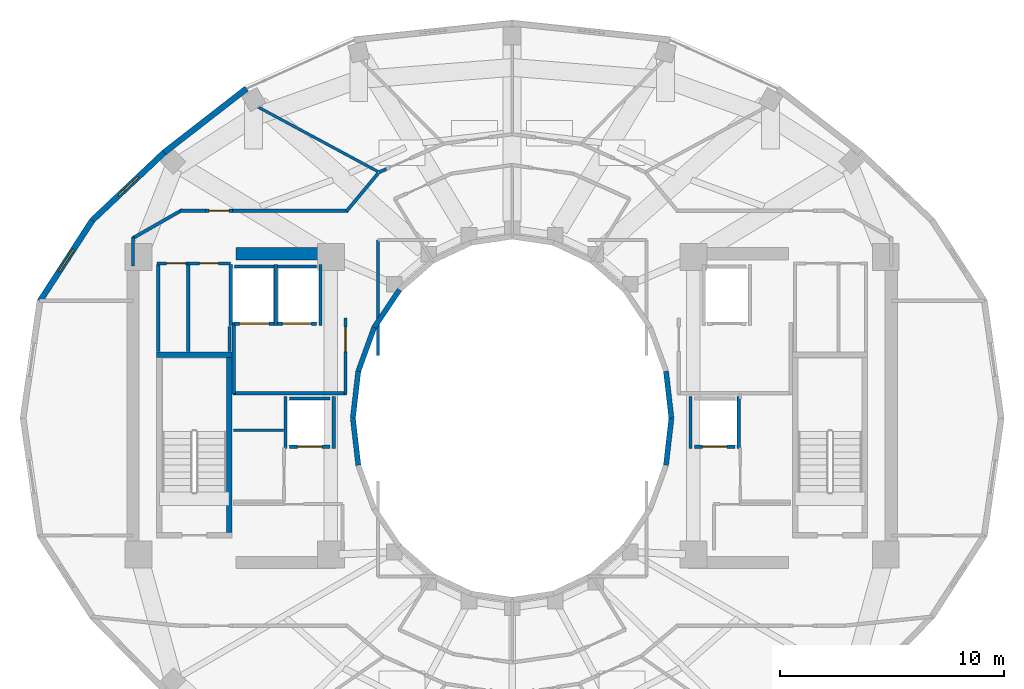
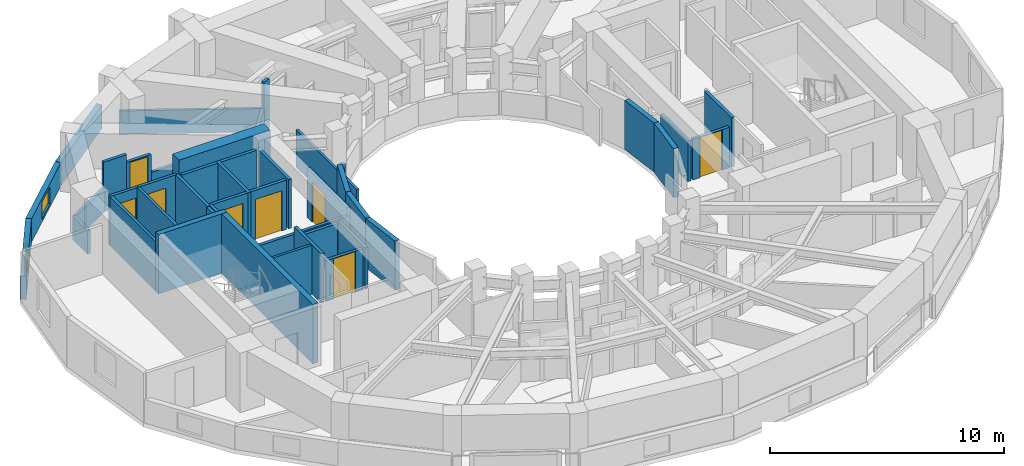
# One storey, part 12 of 17: 44 walls, 8 doors, 2 windows, 10 openings.
"""IFC4 building model written with IfcOpenShell, lengths in metres."""

from ifc_helpers import new_model, si_unit, direction, frame, frame_2d, origin, place, context, subcontext, project, spatial, rectangle, extrude, material, layer, layer_set, type_object, element, fill, save


model = new_model("IFC4")

# Units and contexts
model_context = context("Model", 3, precision=1e-05, world=origin(), true_north=direction((0.0, 1.0)))
body_context = subcontext(model_context, "Body", "Model", "MODEL_VIEW")
ifc_project = project(units=[si_unit("LENGTHUNIT", "METRE"), si_unit("AREAUNIT", "SQUARE_METRE"), si_unit("VOLUMEUNIT", "CUBIC_METRE"), si_unit("PLANEANGLEUNIT", "RADIAN"), si_unit("MASSUNIT", "GRAM", prefix="KILO")], contexts=[model_context])

# Site, building, storey
site_placement = place(None, origin())
site = spatial("IfcSite", under=ifc_project, at=site_placement, CompositionType="ELEMENT")
building_placement = place(site_placement, origin())
building = spatial("IfcBuilding", under=site, at=building_placement, Name="Solvane Sanctuary Tower", CompositionType="ELEMENT")
storey_placement = place(building_placement, frame((0.0, 0.0, 235.699951171875)))
storey = spatial("IfcBuildingStorey", under=building, at=storey_placement, Name="L72", CompositionType="ELEMENT", Elevation=235.699951171875)

# Walls
ifc_material_1 = material(Name="Concrete C50/60", Category="concrete")
ifc_layer_1 = layer(ifc_material_1, 0.550048828125, Name="Concrete C50/60")
ifc_layer_set_1 = layer_set([ifc_layer_1], Name="Concrete C50/60")
wall_type_1 = type_object("IfcWallType", Name="Wall W-CORE-550", PredefinedType="SHEAR", material=ifc_layer_set_1)
wall_1_placement = place(storey_placement, frame((19.64990234375, 30.35009765625, 0.0), z_axis=(0.0, 0.0, 1.0), x_axis=(1.0, 0.0, 0.0)))
element("IfcWall", 1, at=wall_1_placement, inside=storey, type_object=wall_type_1, Name="L72 Core Shear Wall WC-N", PredefinedType="SHEAR", context=body_context, shape_type="SweptSolid", body=[
    extrude(rectangle(XDim=4.5, YDim=0.550048828125, at=frame_2d((2.25, 0.0))), origin(), (0.0, 0.0, 1.0), 3.10009765625),
])
ifc_material_2 = material(Name="Acoustic Gypsum Partition Board")
ifc_layer_2 = layer(ifc_material_2, 0.14990234375, Name="Acoustic Gypsum Partition Board")
ifc_layer_set_2 = layer_set([ifc_layer_2], Name="Acoustic Gypsum Partition Board")
wall_type_2 = type_object("IfcWallType", Name="Wall W-CORR-150", PredefinedType="PARTITIONING", material=ifc_layer_set_2)
wall_2_placement = place(storey_placement, frame((19.52001953125, 24.1201171875, 0.0), z_axis=(0.0, 0.0, 1.0), x_axis=(1.0, 0.0, 0.0)))
element("IfcWall", 2, at=wall_2_placement, inside=storey, type_object=wall_type_2, Name="L72 West Firefighting Lobby South Wall", PredefinedType="PARTITIONING", context=body_context, shape_type="SweptSolid", body=[
    extrude(rectangle(XDim=5.080078125, YDim=0.14990234375, at=frame_2d((2.5400390625, 0.0))), origin(), (0.0, 0.0, 1.0), 2.1201171875),
])
wall_3_placement = place(storey_placement, frame((19.550048828125, 24.080078125, 0.0), z_axis=(0.0, 0.0, 1.0), x_axis=(0.0, 1.0, 0.0)))
element("IfcWall", 3, at=wall_3_placement, inside=storey, type_object=wall_type_2, Name="L72 West Firefighting Lobby West Wall", PredefinedType="PARTITIONING", context=body_context, shape_type="SweptSolid", body=[
    extrude(rectangle(XDim=3.199951171875, YDim=0.14990234375, at=frame_2d((1.60009765625, 0.0))), origin(), (0.0, 0.0, 1.0), 2.574951171875),
])

# Wall, opening, door
wall_4_placement = place(storey_placement, frame((24.550048828125, 24.080078125, 0.0), z_axis=(0.0, 0.0, 1.0), x_axis=(0.0, 1.0, 0.0)))
wall_4 = element("IfcWall", 4, at=wall_4_placement, inside=storey, type_object=wall_type_2, Name="L72 West Firefighting Lobby East Wall", PredefinedType="PARTITIONING", context=body_context, shape_type="SweptSolid", body=[
    extrude(rectangle(XDim=3.39990234375, YDim=0.14990234375, at=frame_2d((1.699951171875, 0.0))), origin(), (0.0, 0.0, 1.0), 2.574951171875),
])
opening_1_placement = place(wall_4_placement, frame((1.893798828125, 0.0, 0.0)))
opening_1 = element("IfcOpeningElement", 5, at=opening_1_placement, cuts=wall_4, Name="Opening D-L72-03", PredefinedType="OPENING", context=body_context, shape_type="SweptSolid", body=[
    extrude(rectangle(XDim=1.10009765625, YDim=2.10009765625, at=frame_2d((0.550048828125, 1.050048828125))), frame((0.0, 0.0849609375, 0.0), z_axis=(0.0, -1.0, 0.0), x_axis=(1.0, 0.0, 0.0)), (0.0, 0.0, 1.0), 0.169921875),
])
ifc_material_3 = material(Name="Architectural Stainless Steel 316", Category="steel")
door_type_1 = type_object("IfcDoorType", Name="Door D-FFL", OperationType="NOTDEFINED", PredefinedType="DOOR", material=ifc_material_3)
door_1_placement = place(opening_1_placement, origin())
door_1 = element("IfcDoor", 6, at=door_1_placement, inside=storey, type_object=door_type_1, Name="L72 West Firefighting Lobby Fire Door", OperationType="SINGLE_SWING_LEFT", OverallHeight=2.10009765625, OverallWidth=1.10009765625, PredefinedType="DOOR", context=body_context, shape_type="SweptSolid", body=[
    extrude(rectangle(XDim=1.10009765625, YDim=2.10009765625, at=frame_2d((0.550048828125, 1.050048828125))), frame((0.0, 0.02490234375, 0.0), z_axis=(0.0, -1.0, 0.0), x_axis=(1.0, 0.0, 0.0)), (0.0, 0.0, 1.0), 0.050048828125),
])
fill(opening_1, door_1)

# Walls
wall_5_placement = place(storey_placement, frame((15.050048828125, 29.800048828125, 0.0), z_axis=(0.0, 0.0, 1.0), x_axis=(0.0, 1.0, 0.0)))
element("IfcWall", 7, at=wall_5_placement, inside=storey, type_object=wall_type_2, Name="L72 NW Corner Closer 1", PredefinedType="PARTITIONING", context=body_context, shape_type="SweptSolid", body=[
    extrude(rectangle(XDim=1.2900390625, YDim=0.14990234375, at=frame_2d((0.64501953125, 0.0))), origin(), (0.0, 0.0, 1.0), 1.219970703125),
])
wall_6_placement = place(storey_placement, frame((26.015869140625, 33.95458984375, 0.0), z_axis=(0.0, 0.0, 1.0), x_axis=(-0.64030392053, -0.76812166312, 0.0)))
element("IfcWall", 8, at=wall_6_placement, inside=storey, type_object=wall_type_2, Name="L72 NW Corner Throat Wall", PredefinedType="PARTITIONING", context=body_context, shape_type="SweptSolid", body=[
    extrude(rectangle(XDim=2.2099609375, YDim=0.14990234375, at=frame_2d((1.10498046875, 0.0))), origin(), (0.0, 0.0, 1.0), 1.219970703125),
])
wall_7_placement = place(storey_placement, frame((17.14990234375, 32.280029296875, 0.0), z_axis=(0.0, 0.0, 1.0), x_axis=(1.0, 0.0, 0.0)))
element("IfcWall", 9, at=wall_7_placement, inside=storey, type_object=wall_type_2, Name="L72 NW Corner Corridor Wall", PredefinedType="PARTITIONING", context=body_context, shape_type="SweptSolid", body=[
    extrude(rectangle(XDim=1.14013671875, YDim=0.14990234375, at=frame_2d((0.570068359375, 0.0))), origin(), (0.0, 0.0, 1.0), 2.574951171875),
])

# Wall, opening, door
wall_8_placement = place(storey_placement, frame((18.2900390625, 32.280029296875, 0.0), z_axis=(0.0, 0.0, 1.0), x_axis=(1.0, 0.0, 0.0)))
wall_8 = element("IfcWall", 10, at=wall_8_placement, inside=storey, type_object=wall_type_2, Name="L72 NW Corner Corridor Wall", PredefinedType="PARTITIONING", context=body_context, shape_type="SweptSolid", body=[
    extrude(rectangle(XDim=1.219970703125, YDim=0.14990234375, at=frame_2d((0.60986328125, 0.0))), origin(), (0.0, 0.0, 1.0), 2.16015625),
])
opening_2_placement = place(wall_8_placement, frame((0.159912109375, 0.0, 0.0)))
opening_2 = element("IfcOpeningElement", 11, at=opening_2_placement, cuts=wall_8, Name="Opening D-L72-20", PredefinedType="OPENING", context=body_context, shape_type="SweptSolid", body=[
    extrude(rectangle(XDim=0.89990234375, YDim=2.10009765625, at=frame_2d((0.449951171875, 1.050048828125))), frame((0.0, 0.0849609375, 0.0), z_axis=(0.0, -1.0, 0.0), x_axis=(1.0, 0.0, 0.0)), (0.0, 0.0, 1.0), 0.169921875),
])
ifc_material_4 = material(Name="Engineered Tropical Hardwood", Category="wood")
door_type_2 = type_object("IfcDoorType", Name="Door D-WET-900", OperationType="NOTDEFINED", PredefinedType="DOOR", material=ifc_material_4)
door_2_placement = place(opening_2_placement, origin())
door_2 = element("IfcDoor", 12, at=door_2_placement, inside=storey, type_object=door_type_2, Name="L72 NW Corner Salon Door", OperationType="SINGLE_SWING_RIGHT", OverallHeight=2.10009765625, OverallWidth=0.89990234375, PredefinedType="DOOR", context=body_context, shape_type="SweptSolid", body=[
    extrude(rectangle(XDim=0.89990234375, YDim=2.10009765625, at=frame_2d((0.449951171875, 1.050048828125))), frame((0.0, 0.02490234375, 0.0), z_axis=(0.0, -1.0, 0.0), x_axis=(1.0, 0.0, 0.0)), (0.0, 0.0, 1.0), 0.050048828125),
])
fill(opening_2, door_2)

# Walls
wall_9_placement = place(storey_placement, frame((19.510009765625, 32.280029296875, 0.0), z_axis=(0.0, 0.0, 1.0), x_axis=(1.0, 0.0, 0.0)))
element("IfcWall", 13, at=wall_9_placement, inside=storey, type_object=wall_type_2, Name="L72 NW Corner Corridor Wall", PredefinedType="PARTITIONING", context=body_context, shape_type="SweptSolid", body=[
    extrude(rectangle(XDim=5.159912109375, YDim=0.14990234375, at=frame_2d((2.580078125, 0.0))), origin(), (0.0, 0.0, 1.0), 1.219970703125),
])
wall_10_placement = place(storey_placement, frame((17.243408203125, 32.3046875, 0.0), z_axis=(0.0, 0.0, 1.0), x_axis=(-0.867991349648, -0.496579315857, 0.0)))
element("IfcWall", 14, at=wall_10_placement, inside=storey, type_object=wall_type_2, Name="L72 NW Corner Wing Wall", PredefinedType="PARTITIONING", context=body_context, shape_type="SweptSolid", body=[
    extrude(rectangle(XDim=2.56689453125, YDim=0.14990234375, at=frame_2d((1.283447265625, 0.0))), origin(), (0.0, 0.0, 1.0), 1.219970703125),
])
wall_11_placement = place(storey_placement, frame((26.37841796875, 34.140380859375, 0.0), z_axis=(0.0, 0.0, 1.0), x_axis=(-0.914634977088, -0.404280668209, 0.0)))
element("IfcWall", 15, at=wall_11_placement, inside=storey, type_object=wall_type_2, Name="L72 Unit Corridor Wall N4", PredefinedType="PARTITIONING", context=body_context, shape_type="SweptSolid", body=[
    extrude(rectangle(XDim=0.365966796875, YDim=0.14990234375, at=frame_2d((0.18310546875, 0.0))), origin(), (0.0, 0.0, 1.0), 2.574951171875),
])
ifc_material_5 = material(Name="Precast concrete C40/50", Category="concrete")
ifc_layer_3 = layer(ifc_material_5, 0.260009765625, Name="Precast concrete C40/50")
ifc_layer_set_3 = layer_set([ifc_layer_3], Name="Precast concrete C40/50")
wall_type_3 = type_object("IfcWallType", Name="Wall W-EXT-250", PredefinedType="STANDARD", material=ifc_layer_set_3)
wall_12_placement = place(storey_placement, frame((20.1298828125, 37.732666015625, 0.0), z_axis=(0.0, 0.0, 1.0), x_axis=(-0.790126214723, -0.612944177563, 0.0)))
element("IfcWall", 16, at=wall_12_placement, inside=storey, type_object=wall_type_3, Name="L72 Ceramic-Printed Facade Wall 08", PredefinedType="STANDARD", context=body_context, shape_type="SweptSolid", body=[
    extrude(rectangle(XDim=4.6669921875, YDim=0.260009765625, at=frame_2d((2.33349609375, 0.0))), origin(), (0.0, 0.0, 1.0), 1.219970703125),
])

# Wall, opening, window
wall_13_placement = place(storey_placement, frame((16.4423828125, 34.8720703125, 0.0), z_axis=(0.0, 0.0, 1.0), x_axis=(-0.72731899451, -0.686299555752, 0.0)))
wall_13 = element("IfcWall", 17, at=wall_13_placement, inside=storey, type_object=wall_type_3, Name="L72 Ceramic-Printed Facade Wall 09", PredefinedType="STANDARD", context=body_context, shape_type="SweptSolid", body=[
    extrude(rectangle(XDim=4.404296875, YDim=0.260009765625, at=frame_2d((2.2021484375, 0.0))), origin(), (0.0, 0.0, 1.0), 1.219970703125),
])
opening_3_placement = place(wall_13_placement, frame((1.60205078125, 0.0, 0.14990234375)))
opening_3 = element("IfcOpeningElement", 18, at=opening_3_placement, cuts=wall_13, Name="Opening WN-OPER-1200", PredefinedType="OPENING", context=body_context, shape_type="SweptSolid", body=[
    extrude(rectangle(XDim=1.199951171875, YDim=0.89990234375, at=frame_2d((0.60009765625, 0.449951171875))), frame((0.0, 0.139892578125, 0.0), z_axis=(0.0, -1.0, 0.0), x_axis=(1.0, 0.0, 0.0)), (0.0, 0.0, 1.0), 0.280029296875),
])
ifc_material_6 = material(Name="Dark Ceramic-Fritted Low-E Glass", Category="glass")
window_type = type_object("IfcWindowType", Name="Window WN-OPER-1200", PartitioningType="SINGLE_PANEL", PredefinedType="WINDOW", material=ifc_material_6)
window_1_placement = place(opening_3_placement, origin())
window_1 = element("IfcWindow", 19, at=window_1_placement, inside=storey, type_object=window_type, Name="L72 Operable Facade Window 09", OverallHeight=0.89990234375, OverallWidth=1.199951171875, PartitioningType="SINGLE_PANEL", PredefinedType="WINDOW", context=body_context, shape_type="SweptSolid", body=[
    extrude(rectangle(XDim=1.199951171875, YDim=0.89990234375, at=frame_2d((0.60009765625, 0.449951171875))), frame((0.0, 0.030029296875, 0.0), z_axis=(0.0, -1.0, 0.0), x_axis=(1.0, 0.0, 0.0)), (0.0, 0.0, 1.0), 0.06005859375),
])
fill(opening_3, window_1)

wall_14_placement = place(storey_placement, frame((13.239013671875, 31.849365234375, 0.0), z_axis=(0.0, 0.0, 1.0), x_axis=(-0.544475908819, -0.838776480784, 0.0)))
wall_14 = element("IfcWall", 20, at=wall_14_placement, inside=storey, type_object=wall_type_3, Name="L72 Ceramic-Printed Facade Wall 10", PredefinedType="STANDARD", context=body_context, shape_type="SweptSolid", body=[
    extrude(rectangle(XDim=4.3046875, YDim=0.260009765625, at=frame_2d((2.15234375, 0.0))), origin(), (0.0, 0.0, 1.0), 1.219970703125),
])
opening_4_placement = place(wall_14_placement, frame((1.55224609375, 0.0, 0.14990234375)))
opening_4 = element("IfcOpeningElement", 21, at=opening_4_placement, cuts=wall_14, Name="Opening WN-OPER-1200", PredefinedType="OPENING", context=body_context, shape_type="SweptSolid", body=[
    extrude(rectangle(XDim=1.199951171875, YDim=0.89990234375, at=frame_2d((0.60009765625, 0.449951171875))), frame((0.0, 0.139892578125, 0.0), z_axis=(0.0, -1.0, 0.0), x_axis=(1.0, 0.0, 0.0)), (0.0, 0.0, 1.0), 0.280029296875),
])
window_2_placement = place(opening_4_placement, origin())
window_2 = element("IfcWindow", 22, at=window_2_placement, inside=storey, type_object=window_type, Name="L72 Operable Facade Window 10", OverallHeight=0.89990234375, OverallWidth=1.199951171875, PartitioningType="SINGLE_PANEL", PredefinedType="WINDOW", context=body_context, shape_type="SweptSolid", body=[
    extrude(rectangle(XDim=1.199951171875, YDim=0.89990234375, at=frame_2d((0.60009765625, 0.449951171875))), frame((0.0, 0.030029296875, 0.0), z_axis=(0.0, -1.0, 0.0), x_axis=(1.0, 0.0, 0.0)), (0.0, 0.0, 1.0), 0.06005859375),
])
fill(opening_4, window_2)

# Walls
ifc_layer_4 = layer(ifc_material_5, 0.22998046875, Name="Precast concrete C40/50")
ifc_layer_set_4 = layer_set([ifc_layer_4], Name="Precast concrete C40/50")
wall_type_4 = type_object("IfcWallType", Name="Wall W-EXT-SP220", PredefinedType="STANDARD", material=ifc_layer_set_4)
wall_15_placement = place(storey_placement, frame((39.1201171875, 23.0, 0.0), z_axis=(0.0, 0.0, 1.0), x_axis=(-0.114711713601, 0.993398823617, 0.0)))
element("IfcWall", 23, at=wall_15_placement, inside=storey, type_object=wall_type_4, Name="L72 Central Light-Well Wall 00", PredefinedType="STANDARD", context=body_context, shape_type="SweptSolid", body=[
    extrude(rectangle(XDim=2.115478515625, YDim=0.22998046875, at=frame_2d((1.0576171875, 0.0))), origin(), (0.0, 0.0, 1.0), 2.56005859375),
])
wall_16_placement = place(storey_placement, frame((26.96533203125, 28.74169921875, 0.0), z_axis=(0.0, 0.0, 1.0), x_axis=(-0.558197800898, -0.829707909492, 0.0)))
element("IfcWall", 24, at=wall_16_placement, inside=storey, type_object=wall_type_4, Name="L72 Central Light-Well Wall 09", PredefinedType="STANDARD", context=body_context, shape_type="SweptSolid", body=[
    extrude(rectangle(XDim=2.02685546875, YDim=0.22998046875, at=frame_2d((1.013427734375, 0.0))), origin(), (0.0, 0.0, 1.0), 1.219970703125),
])
wall_17_placement = place(storey_placement, frame((25.833984375, 27.06005859375, 0.0), z_axis=(0.0, 0.0, 1.0), x_axis=(-0.341423187295, -0.93990968033, 0.0)))
element("IfcWall", 25, at=wall_17_placement, inside=storey, type_object=wall_type_4, Name="L72 Central Light-Well Wall 10", PredefinedType="STANDARD", context=body_context, shape_type="SweptSolid", body=[
    extrude(rectangle(XDim=2.083740234375, YDim=0.22998046875, at=frame_2d((1.0419921875, 0.0))), origin(), (0.0, 0.0, 1.0), 2.56005859375),
])
for number, where, z_axis, x_axis, name in (
    (26, (25.12255859375, 25.1015625, 0.0), (0.0, 0.0, 1.0), (-0.114711713601, -0.993398823617, 0.0), "L72 Central Light-Well Wall 11"),
    (27, (24.8798828125, 23.0, 0.0), (0.0, 0.0, 1.0), (0.114711713601, -0.993398823617, 0.0), "L72 Central Light-Well Wall 12"),
    (28, (38.87744140625, 20.8984375, 0.0), (0.0, 0.0, 1.0), (0.114711713601, 0.993398823617, 0.0), "L72 Central Light-Well Wall 23"),
):
    element("IfcWall", number, at=place(storey_placement, frame(where, z_axis=z_axis, x_axis=x_axis)), inside=storey, type_object=wall_type_4, Name=name, PredefinedType="STANDARD", context=body_context, shape_type="SweptSolid", body=[
        extrude(rectangle(XDim=2.115478515625, YDim=0.22998046875, at=frame_2d((1.0576171875, 0.0))), origin(), (0.0, 0.0, 1.0), 2.56005859375),
    ])
ifc_layer_5 = layer(ifc_material_2, 0.125, Name="Acoustic Gypsum Partition Board")
ifc_layer_set_5 = layer_set([ifc_layer_5], Name="Acoustic Gypsum Partition Board")
wall_type_5 = type_object("IfcWallType", Name="Wall W-PART-125", PredefinedType="PARTITIONING", material=ifc_layer_set_5)
wall_18_placement = place(storey_placement, frame((19.550048828125, 22.4599609375, 0.0), z_axis=(0.0, 0.0, 1.0), x_axis=(1.0, 0.0, 0.0)))
element("IfcWall", 29, at=wall_18_placement, inside=storey, type_object=wall_type_5, Name="L72 Reclaimed Room Closer Wall PMW-2", PredefinedType="PARTITIONING", context=body_context, shape_type="SweptSolid", body=[
    extrude(rectangle(XDim=2.22998046875, YDim=0.125, at=frame_2d((1.114990234375, 0.0))), origin(), (0.0, 0.0, 1.0), 2.574951171875),
])
wall_19_placement = place(storey_placement, frame((26.0, 25.800048828125, 0.0), z_axis=(0.0, 0.0, 1.0), x_axis=(0.0, 1.0, 0.0)))
element("IfcWall", 30, at=wall_19_placement, inside=storey, type_object=wall_type_5, Name="L72 Bridge Alcove Wall 1", PredefinedType="PARTITIONING", context=body_context, shape_type="SweptSolid", body=[
    extrude(rectangle(XDim=5.159912109375, YDim=0.125, at=frame_2d((2.580078125, 0.0))), origin(), (0.0, 0.0, 1.0), 1.9521484375),
])
wall_20_placement = place(storey_placement, frame((26.002685546875, 34.02294921875, 0.0), z_axis=(0.0, 0.0, 1.0), x_axis=(-0.880531534665, 0.473987569943, 0.0)))
element("IfcWall", 31, at=wall_20_placement, inside=storey, type_object=wall_type_5, Name="L72 Radial Compartment Wall 120", PredefinedType="PARTITIONING", context=body_context, shape_type="SweptSolid", body=[
    extrude(rectangle(XDim=6.095947265625, YDim=0.125, at=frame_2d((3.0478515625, 0.0))), origin(), (0.0, 0.0, 1.0), 1.219970703125),
])

# Wall, opening, door
ifc_layer_6 = layer(ifc_material_1, 0.14990234375, Name="Concrete C50/60")
ifc_layer_set_6 = layer_set([ifc_layer_6], Name="Concrete C50/60")
wall_type_6 = type_object("IfcWallType", Name="Wall W-SHAFT-150", PredefinedType="SOLIDWALL", material=ifc_layer_set_6)
wall_21_placement = place(storey_placement, frame((22.0400390625, 21.719970703125, 0.0), z_axis=(0.0, 0.0, 1.0), x_axis=(1.0, 0.0, 0.0)))
wall_21 = element("IfcWall", 32, at=wall_21_placement, inside=storey, type_object=wall_type_6, Name="L72 PH-1 Lift Shaft Wall F", PredefinedType="SOLIDWALL", context=body_context, shape_type="SweptSolid", body=[
    extrude(rectangle(XDim=1.820068359375, YDim=0.14990234375, at=frame_2d((0.91015625, 0.0))), origin(), (0.0, 0.0, 1.0), 2.1201171875),
])
opening_5_placement = place(wall_21_placement, frame((0.360107421875, 0.0, 0.0)))
opening_5 = element("IfcOpeningElement", 33, at=opening_5_placement, cuts=wall_21, Name="Opening LD-L72-01", PredefinedType="OPENING", context=body_context, shape_type="SweptSolid", body=[
    extrude(rectangle(XDim=1.10009765625, YDim=2.10009765625, at=frame_2d((0.550048828125, 1.050048828125))), frame((0.0, 0.0849609375, 0.0), z_axis=(0.0, -1.0, 0.0), x_axis=(1.0, 0.0, 0.0)), (0.0, 0.0, 1.0), 0.169921875),
])
door_type_3 = type_object("IfcDoorType", Name="Door LD-PASS-1100", OperationType="NOTDEFINED", PredefinedType="DOOR", material=ifc_material_3)
door_3_placement = place(opening_5_placement, origin())
door_3 = element("IfcDoor", 34, at=door_3_placement, inside=storey, type_object=door_type_3, Name="L72 PH-1 Lift Landing Door", OperationType="DOUBLE_DOOR_SLIDING", OverallHeight=2.10009765625, OverallWidth=1.10009765625, PredefinedType="DOOR", context=body_context, shape_type="SweptSolid", body=[
    extrude(rectangle(XDim=1.10009765625, YDim=2.10009765625, at=frame_2d((0.550048828125, 1.050048828125))), frame((0.0, 0.02490234375, 0.0), z_axis=(0.0, -1.0, 0.0), x_axis=(1.0, 0.0, 0.0)), (0.0, 0.0, 1.0), 0.050048828125),
])
fill(opening_5, door_3)

# Walls
wall_22_placement = place(storey_placement, frame((22.0400390625, 23.8798828125, 0.0), z_axis=(0.0, 0.0, 1.0), x_axis=(1.0, 0.0, 0.0)))
element("IfcWall", 35, at=wall_22_placement, inside=storey, type_object=wall_type_6, Name="L72 PH-1 Lift Shaft Wall B", PredefinedType="SOLIDWALL", context=body_context, shape_type="SweptSolid", body=[
    extrude(rectangle(XDim=1.820068359375, YDim=0.14990234375, at=frame_2d((0.91015625, 0.0))), origin(), (0.0, 0.0, 1.0), 2.1201171875),
])
wall_23_placement = place(storey_placement, frame((21.8701171875, 21.639892578125, 0.0), z_axis=(0.0, 0.0, 1.0), x_axis=(0.0, 1.0, 0.0)))
element("IfcWall", 36, at=wall_23_placement, inside=storey, type_object=wall_type_6, Name="L72 PH-1 Lift Shaft Wall S1", PredefinedType="SOLIDWALL", context=body_context, shape_type="SweptSolid", body=[
    extrude(rectangle(XDim=2.320068359375, YDim=0.14990234375, at=frame_2d((1.16015625, 0.0))), origin(), (0.0, 0.0, 1.0), 2.574951171875),
])
wall_24_placement = place(storey_placement, frame((24.030029296875, 21.639892578125, 0.0), z_axis=(0.0, 0.0, 1.0), x_axis=(0.0, 1.0, 0.0)))
element("IfcWall", 37, at=wall_24_placement, inside=storey, type_object=wall_type_6, Name="L72 PH-1 Lift Shaft Wall S2", PredefinedType="SOLIDWALL", context=body_context, shape_type="SweptSolid", body=[
    extrude(rectangle(XDim=2.320068359375, YDim=0.14990234375, at=frame_2d((1.16015625, 0.0))), origin(), (0.0, 0.0, 1.0), 2.1201171875),
])

# Wall, opening, door
wall_25_placement = place(storey_placement, frame((40.139892578125, 21.719970703125, 0.0), z_axis=(0.0, 0.0, 1.0), x_axis=(1.0, 0.0, 0.0)))
wall_25 = element("IfcWall", 38, at=wall_25_placement, inside=storey, type_object=wall_type_6, Name="L72 PH-2 Lift Shaft Wall F", PredefinedType="SOLIDWALL", context=body_context, shape_type="SweptSolid", body=[
    extrude(rectangle(XDim=1.820068359375, YDim=0.14990234375, at=frame_2d((0.91015625, 0.0))), origin(), (0.0, 0.0, 1.0), 2.1201171875),
])
opening_6_placement = place(wall_25_placement, frame((0.360107421875, 0.0, 0.0)))
opening_6 = element("IfcOpeningElement", 39, at=opening_6_placement, cuts=wall_25, Name="Opening LD-L72-02", PredefinedType="OPENING", context=body_context, shape_type="SweptSolid", body=[
    extrude(rectangle(XDim=1.10009765625, YDim=2.10009765625, at=frame_2d((0.550048828125, 1.050048828125))), frame((0.0, 0.0849609375, 0.0), z_axis=(0.0, -1.0, 0.0), x_axis=(1.0, 0.0, 0.0)), (0.0, 0.0, 1.0), 0.169921875),
])
door_4_placement = place(opening_6_placement, origin())
door_4 = element("IfcDoor", 40, at=door_4_placement, inside=storey, type_object=door_type_3, Name="L72 PH-2 Lift Landing Door", OperationType="DOUBLE_DOOR_SLIDING", OverallHeight=2.10009765625, OverallWidth=1.10009765625, PredefinedType="DOOR", context=body_context, shape_type="SweptSolid", body=[
    extrude(rectangle(XDim=1.10009765625, YDim=2.10009765625, at=frame_2d((0.550048828125, 1.050048828125))), frame((0.0, 0.02490234375, 0.0), z_axis=(0.0, -1.0, 0.0), x_axis=(1.0, 0.0, 0.0)), (0.0, 0.0, 1.0), 0.050048828125),
])
fill(opening_6, door_4)

# Walls
wall_26_placement = place(storey_placement, frame((39.969970703125, 21.639892578125, 0.0), z_axis=(0.0, 0.0, 1.0), x_axis=(0.0, 1.0, 0.0)))
element("IfcWall", 41, at=wall_26_placement, inside=storey, type_object=wall_type_6, Name="L72 PH-2 Lift Shaft Wall S1", PredefinedType="SOLIDWALL", context=body_context, shape_type="SweptSolid", body=[
    extrude(rectangle(XDim=2.320068359375, YDim=0.14990234375, at=frame_2d((1.16015625, 0.0))), origin(), (0.0, 0.0, 1.0), 2.1201171875),
])
wall_27_placement = place(storey_placement, frame((42.1298828125, 21.639892578125, 0.0), z_axis=(0.0, 0.0, 1.0), x_axis=(0.0, 1.0, 0.0)))
element("IfcWall", 42, at=wall_27_placement, inside=storey, type_object=wall_type_6, Name="L72 PH-2 Lift Shaft Wall S2", PredefinedType="SOLIDWALL", context=body_context, shape_type="SweptSolid", body=[
    extrude(rectangle(XDim=2.320068359375, YDim=0.14990234375, at=frame_2d((1.16015625, 0.0))), origin(), (0.0, 0.0, 1.0), 2.574951171875),
])

# Wall, opening, door
wall_28_placement = place(storey_placement, frame((19.590087890625, 27.219970703125, 0.0), z_axis=(0.0, 0.0, 1.0), x_axis=(1.0, 0.0, 0.0)))
wall_28 = element("IfcWall", 43, at=wall_28_placement, inside=storey, type_object=wall_type_6, Name="L72 FFL-1 Lift Shaft Wall F", PredefinedType="SOLIDWALL", context=body_context, shape_type="SweptSolid", body=[
    extrude(rectangle(XDim=1.760009765625, YDim=0.14990234375, at=frame_2d((0.8798828125, 0.0))), origin(), (0.0, 0.0, 1.0), 2.574951171875),
])
opening_7_placement = place(wall_28_placement, frame((0.22998046875, 0.0, 0.0)))
opening_7 = element("IfcOpeningElement", 44, at=opening_7_placement, cuts=wall_28, Name="Opening LD-L72-03", PredefinedType="OPENING", context=body_context, shape_type="SweptSolid", body=[
    extrude(rectangle(XDim=1.300048828125, YDim=2.10009765625, at=frame_2d((0.64990234375, 1.050048828125))), frame((0.0, 0.0849609375, 0.0), z_axis=(0.0, -1.0, 0.0), x_axis=(1.0, 0.0, 0.0)), (0.0, 0.0, 1.0), 0.169921875),
])
door_type_4 = type_object("IfcDoorType", Name="Door LD-FFL-1300", OperationType="NOTDEFINED", PredefinedType="DOOR", material=ifc_material_3)
door_5_placement = place(opening_7_placement, origin())
door_5 = element("IfcDoor", 45, at=door_5_placement, inside=storey, type_object=door_type_4, Name="L72 FFL-1 Lift Landing Door", OperationType="DOUBLE_DOOR_SLIDING", OverallHeight=2.10009765625, OverallWidth=1.300048828125, PredefinedType="DOOR", context=body_context, shape_type="SweptSolid", body=[
    extrude(rectangle(XDim=1.300048828125, YDim=2.10009765625, at=frame_2d((0.64990234375, 1.050048828125))), frame((0.0, 0.02490234375, 0.0), z_axis=(0.0, -1.0, 0.0), x_axis=(1.0, 0.0, 0.0)), (0.0, 0.0, 1.0), 0.050048828125),
])
fill(opening_7, door_5)

# Walls
wall_29_placement = place(storey_placement, frame((19.590087890625, 29.780029296875, 0.0), z_axis=(0.0, 0.0, 1.0), x_axis=(1.0, 0.0, 0.0)))
element("IfcWall", 46, at=wall_29_placement, inside=storey, type_object=wall_type_6, Name="L72 FFL-1 Lift Shaft Wall B", PredefinedType="SOLIDWALL", context=body_context, shape_type="SweptSolid", body=[
    extrude(rectangle(XDim=1.760009765625, YDim=0.14990234375, at=frame_2d((0.8798828125, 0.0))), origin(), (0.0, 0.0, 1.0), 2.574951171875),
])
for number, where, z_axis, x_axis, name in (
    (47, (19.419921875, 27.139892578125, 0.0), (0.0, 0.0, 1.0), (0.0, 1.0, 0.0), "L72 FFL-1 Lift Shaft Wall S1"),
    (48, (21.425048828125, 27.139892578125, 0.0), (0.0, 0.0, 1.0), (0.0, 1.0, 0.0), "L72 FFL-1 Lift Shaft Wall S2"),
):
    element("IfcWall", number, at=place(storey_placement, frame(where, z_axis=z_axis, x_axis=x_axis)), inside=storey, type_object=wall_type_6, Name=name, PredefinedType="SOLIDWALL", context=body_context, shape_type="SweptSolid", body=[
        extrude(rectangle(XDim=2.72021484375, YDim=0.14990234375, at=frame_2d((1.360107421875, 0.0))), origin(), (0.0, 0.0, 1.0), 2.574951171875),
    ])

# Wall, opening, door
wall_30_placement = place(storey_placement, frame((21.5, 27.219970703125, 0.0), z_axis=(0.0, 0.0, 1.0), x_axis=(1.0, 0.0, 0.0)))
wall_30 = element("IfcWall", 49, at=wall_30_placement, inside=storey, type_object=wall_type_6, Name="L72 SVL-1 Lift Shaft Wall F", PredefinedType="SOLIDWALL", context=body_context, shape_type="SweptSolid", body=[
    extrude(rectangle(XDim=1.760009765625, YDim=0.14990234375, at=frame_2d((0.8798828125, 0.0))), origin(), (0.0, 0.0, 1.0), 2.574951171875),
])
opening_8_placement = place(wall_30_placement, frame((0.22998046875, 0.0, 0.0)))
opening_8 = element("IfcOpeningElement", 50, at=opening_8_placement, cuts=wall_30, Name="Opening LD-L72-04", PredefinedType="OPENING", context=body_context, shape_type="SweptSolid", body=[
    extrude(rectangle(XDim=1.300048828125, YDim=2.10009765625, at=frame_2d((0.64990234375, 1.050048828125))), frame((0.0, 0.0849609375, 0.0), z_axis=(0.0, -1.0, 0.0), x_axis=(1.0, 0.0, 0.0)), (0.0, 0.0, 1.0), 0.169921875),
])
door_6_placement = place(opening_8_placement, origin())
door_6 = element("IfcDoor", 51, at=door_6_placement, inside=storey, type_object=door_type_4, Name="L72 SVL-1 Lift Landing Door", OperationType="DOUBLE_DOOR_SLIDING", OverallHeight=2.10009765625, OverallWidth=1.300048828125, PredefinedType="DOOR", context=body_context, shape_type="SweptSolid", body=[
    extrude(rectangle(XDim=1.300048828125, YDim=2.10009765625, at=frame_2d((0.64990234375, 1.050048828125))), frame((0.0, 0.02490234375, 0.0), z_axis=(0.0, -1.0, 0.0), x_axis=(1.0, 0.0, 0.0)), (0.0, 0.0, 1.0), 0.050048828125),
])
fill(opening_8, door_6)

# Walls
wall_31_placement = place(storey_placement, frame((21.5, 29.780029296875, 0.0), z_axis=(0.0, 0.0, 1.0), x_axis=(1.0, 0.0, 0.0)))
element("IfcWall", 52, at=wall_31_placement, inside=storey, type_object=wall_type_6, Name="L72 SVL-1 Lift Shaft Wall B", PredefinedType="SOLIDWALL", context=body_context, shape_type="SweptSolid", body=[
    extrude(rectangle(XDim=1.760009765625, YDim=0.14990234375, at=frame_2d((0.8798828125, 0.0))), origin(), (0.0, 0.0, 1.0), 2.574951171875),
])
wall_32_placement = place(storey_placement, frame((23.429931640625, 27.139892578125, 0.0), z_axis=(0.0, 0.0, 1.0), x_axis=(0.0, 1.0, 0.0)))
element("IfcWall", 53, at=wall_32_placement, inside=storey, type_object=wall_type_6, Name="L72 SVL-1 Lift Shaft Wall S2", PredefinedType="SOLIDWALL", context=body_context, shape_type="SweptSolid", body=[
    extrude(rectangle(XDim=2.72021484375, YDim=0.14990234375, at=frame_2d((1.360107421875, 0.0))), origin(), (0.0, 0.0, 1.0), 2.574951171875),
])
ifc_layer_7 = layer(ifc_material_1, 0.25, Name="Concrete C50/60")
ifc_layer_set_7 = layer_set([ifc_layer_7], Name="Concrete C50/60")
wall_type_7 = type_object("IfcWallType", Name="Wall W-SHAFT-250", PredefinedType="SOLIDWALL", material=ifc_layer_set_7)
wall_33_placement = place(storey_placement, frame((16.10498046875, 25.830078125, 0.0), z_axis=(0.0, 0.0, 1.0), x_axis=(1.0, 0.0, 0.0)))
element("IfcWall", 54, at=wall_33_placement, inside=storey, type_object=wall_type_7, Name="L72 ST-1 Load-Bearing Shaft Wall N", PredefinedType="SOLIDWALL", context=body_context, shape_type="SweptSolid", body=[
    extrude(rectangle(XDim=3.3701171875, YDim=0.25, at=frame_2d((1.68505859375, 0.0))), origin(), (0.0, 0.0, 1.0), 3.10009765625),
])
wall_34_placement = place(storey_placement, frame((19.35009765625, 17.89501953125, 0.0), z_axis=(0.0, 0.0, 1.0), x_axis=(0.0, 1.0, 0.0)))
element("IfcWall", 55, at=wall_34_placement, inside=storey, type_object=wall_type_7, Name="L72 ST-1 Load-Bearing Shaft Wall E", PredefinedType="SOLIDWALL", context=body_context, shape_type="SweptSolid", body=[
    extrude(rectangle(XDim=7.81005859375, YDim=0.25, at=frame_2d((3.905029296875, 0.0))), origin(), (0.0, 0.0, 1.0), 3.10009765625),
])

# Wall, opening, door
ifc_layer_8 = layer(ifc_material_2, 0.139892578125, Name="Acoustic Gypsum Partition Board")
ifc_layer_set_8 = layer_set([ifc_layer_8], Name="Acoustic Gypsum Partition Board")
wall_type_8 = type_object("IfcWallType", Name="Wall W-WET-140", PredefinedType="PLUMBINGWALL", material=ifc_layer_set_8)
wall_35_placement = place(storey_placement, frame((16.1201171875, 29.919921875, 0.0), z_axis=(0.0, 0.0, 1.0), x_axis=(1.0, 0.0, 0.0)))
wall_35 = element("IfcWall", 56, at=wall_35_placement, inside=storey, type_object=wall_type_8, Name="L72 Core Service Front Wall KW1", PredefinedType="PLUMBINGWALL", context=body_context, shape_type="SweptSolid", body=[
    extrude(rectangle(XDim=1.39990234375, YDim=0.139892578125, at=frame_2d((0.699951171875, 0.0))), origin(), (0.0, 0.0, 1.0), 2.574951171875),
])
opening_9_placement = place(wall_35_placement, frame((0.429931640625, 0.0, 0.0)))
opening_9 = element("IfcOpeningElement", 57, at=opening_9_placement, cuts=wall_35, Name="Opening D-L72-09", PredefinedType="OPENING", context=body_context, shape_type="SweptSolid", body=[
    extrude(rectangle(XDim=0.85009765625, YDim=2.050048828125, at=frame_2d((0.425048828125, 1.02490234375))), frame((0.0, 0.079833984375, 0.0), z_axis=(0.0, -1.0, 0.0), x_axis=(1.0, 0.0, 0.0)), (0.0, 0.0, 1.0), 0.159912109375),
])
door_type_5 = type_object("IfcDoorType", Name="Door D-RISER", OperationType="NOTDEFINED", PredefinedType="DOOR", material=ifc_material_3)
door_7_placement = place(opening_9_placement, origin())
door_7 = element("IfcDoor", 58, at=door_7_placement, inside=storey, type_object=door_type_5, Name="L72 Core Service Room Door KW1-1", OperationType="SINGLE_SWING_LEFT", OverallHeight=2.050048828125, OverallWidth=0.85009765625, PredefinedType="DOOR", context=body_context, shape_type="SweptSolid", body=[
    extrude(rectangle(XDim=0.85009765625, YDim=2.050048828125, at=frame_2d((0.425048828125, 1.02490234375))), frame((0.0, 0.02490234375, 0.0), z_axis=(0.0, -1.0, 0.0), x_axis=(1.0, 0.0, 0.0)), (0.0, 0.0, 1.0), 0.050048828125),
])
fill(opening_9, door_7)

# Walls
for number, where, z_axis, x_axis, name in (
    (59, (16.179931640625, 25.97998046875, 0.0), (0.0, 0.0, 1.0), (0.0, 1.0, 0.0), "L72 Core Service Side Wall KW1-1"),
    (60, (17.52001953125, 25.97998046875, 0.0), (0.0, 0.0, 1.0), (0.0, 1.0, 0.0), "L72 Core Service Side Wall KW1-2"),
):
    element("IfcWall", number, at=place(storey_placement, frame(where, z_axis=z_axis, x_axis=x_axis)), inside=storey, type_object=wall_type_8, Name=name, PredefinedType="PLUMBINGWALL", context=body_context, shape_type="SweptSolid", body=[
        extrude(rectangle(XDim=3.880126953125, YDim=0.139892578125, at=frame_2d((1.93994140625, 0.0))), origin(), (0.0, 0.0, 1.0), 2.574951171875),
    ])

# Wall, opening, door
wall_36_placement = place(storey_placement, frame((17.52001953125, 29.919921875, 0.0), z_axis=(0.0, 0.0, 1.0), x_axis=(1.0, 0.0, 0.0)))
wall_36 = element("IfcWall", 61, at=wall_36_placement, inside=storey, type_object=wall_type_8, Name="L72 Core Service Front Wall KW2", PredefinedType="PLUMBINGWALL", context=body_context, shape_type="SweptSolid", body=[
    extrude(rectangle(XDim=1.89990234375, YDim=0.139892578125, at=frame_2d((0.949951171875, 0.0))), origin(), (0.0, 0.0, 1.0), 2.574951171875),
])
opening_10_placement = place(wall_36_placement, frame((0.5, 0.0, 0.0)))
opening_10 = element("IfcOpeningElement", 62, at=opening_10_placement, cuts=wall_36, Name="Opening D-L72-10", PredefinedType="OPENING", context=body_context, shape_type="SweptSolid", body=[
    extrude(rectangle(XDim=0.85009765625, YDim=2.050048828125, at=frame_2d((0.425048828125, 1.02490234375))), frame((0.0, 0.079833984375, 0.0), z_axis=(0.0, -1.0, 0.0), x_axis=(1.0, 0.0, 0.0)), (0.0, 0.0, 1.0), 0.159912109375),
])
door_8_placement = place(opening_10_placement, origin())
door_8 = element("IfcDoor", 63, at=door_8_placement, inside=storey, type_object=door_type_5, Name="L72 Core Service Room Door KW2-1", OperationType="SINGLE_SWING_RIGHT", OverallHeight=2.050048828125, OverallWidth=0.85009765625, PredefinedType="DOOR", context=body_context, shape_type="SweptSolid", body=[
    extrude(rectangle(XDim=0.85009765625, YDim=2.050048828125, at=frame_2d((0.425048828125, 1.02490234375))), frame((0.0, 0.02490234375, 0.0), z_axis=(0.0, -1.0, 0.0), x_axis=(1.0, 0.0, 0.0)), (0.0, 0.0, 1.0), 0.050048828125),
])
fill(opening_10, door_8)

# Wall
wall_37_placement = place(storey_placement, frame((19.360107421875, 25.97998046875, 0.0), z_axis=(0.0, 0.0, 1.0), x_axis=(0.0, 1.0, 0.0)))
element("IfcWall", 64, at=wall_37_placement, inside=storey, type_object=wall_type_8, Name="L72 Core Service Side Wall KW2-1", PredefinedType="PLUMBINGWALL", context=body_context, shape_type="SweptSolid", body=[
    extrude(rectangle(XDim=1.1201171875, YDim=0.139892578125, at=frame_2d((0.56005859375, 0.0))), origin(), (0.0, 0.0, 1.0), 2.574951171875),
])

save(model, "model.ifc")
